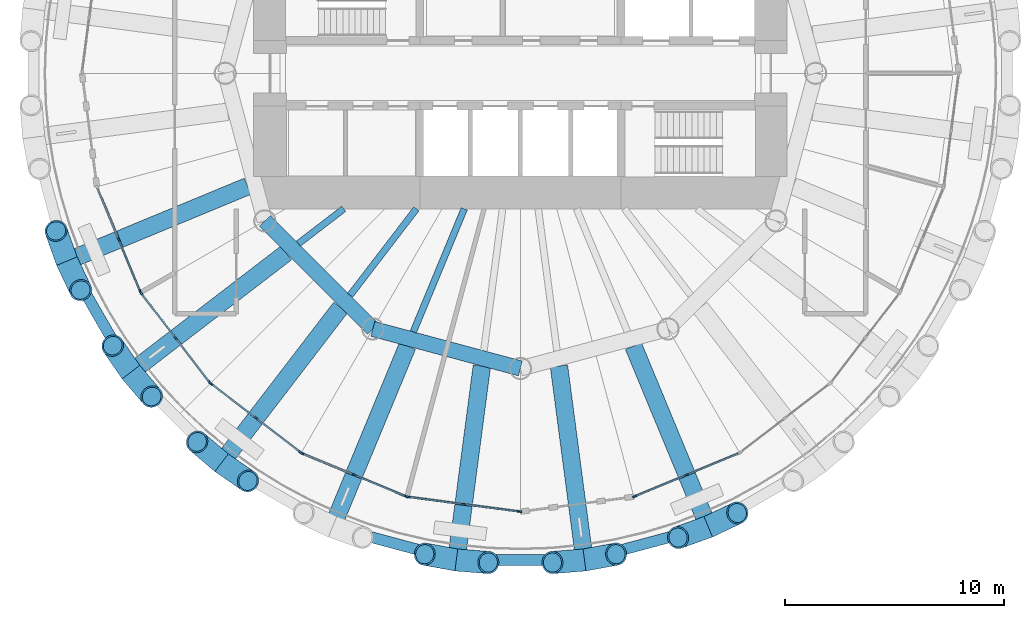
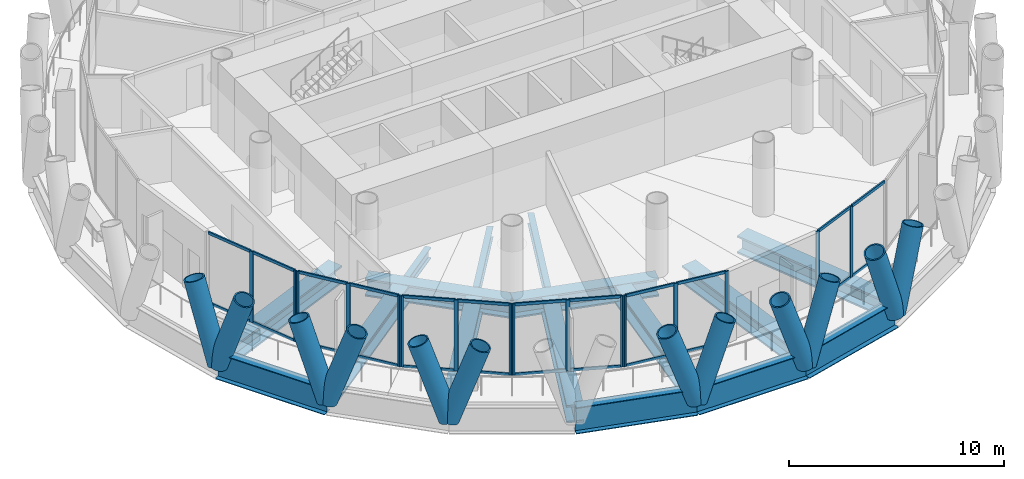
# One storey, part 2 of 14: 52 members, 16 beams, 6 elements without a shape of their own.
"""IFC4 building model written with IfcOpenShell, lengths in metres."""

from ifc_helpers import new_model, si_unit, direction, frame, origin, origin_2d, place, context, subcontext, project, spatial, rectangle, hollow_circle, i_section, extrude, material, material_profile, profile_set, type_object, element, aggregate, save


model = new_model("IFC4")

# Units and contexts
model_context = context("Model", 3, precision=1e-05, world=origin(), true_north=direction((0.0, 1.0)))
body_context = subcontext(model_context, "Body", "Model", "MODEL_VIEW")
ifc_project = project(units=[si_unit("LENGTHUNIT", "METRE"), si_unit("AREAUNIT", "SQUARE_METRE"), si_unit("VOLUMEUNIT", "CUBIC_METRE"), si_unit("PLANEANGLEUNIT", "RADIAN"), si_unit("MASSUNIT", "GRAM", prefix="KILO")], contexts=[model_context])

# Site, building, storey
site_placement = place(None, origin())
site = spatial("IfcSite", under=ifc_project, at=site_placement, CompositionType="ELEMENT")
building_placement = place(site_placement, origin())
building = spatial("IfcBuilding", under=site, at=building_placement, Name="Qaws Media Tower", CompositionType="ELEMENT")
storey_placement = place(building_placement, frame((0.0, 0.0, 236.0)))
storey = spatial("IfcBuildingStorey", under=building, at=storey_placement, Name="L54", CompositionType="ELEMENT", Elevation=236.0)

# Curtain wall, members
ifc_material_1 = material(Name="Aluminium and clear glass", Category="aluminium")
curtain_wall_type = type_object("IfcCurtainWallType", Name="Unitised curtain wall CW-C", PredefinedType="NOTDEFINED", material=ifc_material_1)
curtain_wall_1_placement = place(storey_placement, origin())
curtain_wall_1 = element("IfcCurtainWall", 1, at=curtain_wall_1_placement, inside=storey, type_object=curtain_wall_type, Name="CWC curtain wall L54-14", PredefinedType="NOTDEFINED")
ifc_material_2 = material(Name="Aluminium mullion", Category="aluminium")
ifc_material_profile_1 = material_profile(ifc_material_2, rectangle(XDim=0.080078125, YDim=0.199951171875, at=origin_2d()), Name="80x200")
ifc_profile_set_1 = profile_set([ifc_material_profile_1], Name="Aluminium mullion")
member_type_1 = type_object("IfcMemberType", Name="Curtain wall mullion 80x200", PredefinedType="MULLION", material=ifc_profile_set_1)
member_1_placement = place(storey_placement, frame((41.634765625, 42.392822265625, 0.0), z_axis=(0.0, 0.0, 1.0), x_axis=(0.923879492717, 0.382683528436, 0.0)))
member_1 = element("IfcMember", 2, at=member_1_placement, type_object=member_type_1, Name="CWC mullion 2", PredefinedType="MULLION", context=body_context, shape_type="SweptSolid", body=[
    extrude(rectangle(XDim=0.080078125, YDim=0.199951171875, at=origin_2d()), origin(), (0.0, 0.0, 1.0), 4.0400390625),
])
member_2_placement = place(storey_placement, frame((42.620849609375, 40.011962890625, 0.0), z_axis=(0.0, 0.0, 1.0), x_axis=(0.923879492717, 0.382683528436, 0.0)))
member_2 = element("IfcMember", 3, at=member_2_placement, type_object=member_type_1, Name="CWC mullion 3", PredefinedType="MULLION", context=body_context, shape_type="SweptSolid", body=[
    extrude(rectangle(XDim=0.080078125, YDim=0.199951171875, at=origin_2d()), origin(), (0.0, 0.0, 1.0), 4.0400390625),
])

curtain_wall_2_placement = place(storey_placement, origin())
curtain_wall_2 = element("IfcCurtainWall", 4, at=curtain_wall_2_placement, inside=storey, type_object=curtain_wall_type, Name="CWC curtain wall L54-15", PredefinedType="NOTDEFINED")
member_3_placement = place(storey_placement, frame((42.66064453125, 39.943359375, 0.0), z_axis=(0.0, 0.0, 1.0), x_axis=(0.793353378275, 0.608761379507, 0.0)))
member_3 = element("IfcMember", 5, at=member_3_placement, type_object=member_type_1, Name="CWC mullion 1", PredefinedType="MULLION", context=body_context, shape_type="SweptSolid", body=[
    extrude(rectangle(XDim=0.080078125, YDim=0.199951171875, at=origin_2d()), origin(), (0.0, 0.0, 1.0), 4.0400390625),
])
member_4_placement = place(storey_placement, frame((44.229248046875, 37.898681640625, 0.0), z_axis=(0.0, 0.0, 1.0), x_axis=(0.793353378275, 0.608761379507, 0.0)))
member_4 = element("IfcMember", 6, at=member_4_placement, type_object=member_type_1, Name="CWC mullion 2", PredefinedType="MULLION", context=body_context, shape_type="SweptSolid", body=[
    extrude(rectangle(XDim=0.080078125, YDim=0.199951171875, at=origin_2d()), origin(), (0.0, 0.0, 1.0), 4.0400390625),
])
member_5_placement = place(storey_placement, frame((45.798095703125, 35.854248046875, 0.0), z_axis=(0.0, 0.0, 1.0), x_axis=(0.793353378275, 0.608761379507, 0.0)))
member_5 = element("IfcMember", 7, at=member_5_placement, type_object=member_type_1, Name="CWC mullion 3", PredefinedType="MULLION", context=body_context, shape_type="SweptSolid", body=[
    extrude(rectangle(XDim=0.080078125, YDim=0.199951171875, at=origin_2d()), origin(), (0.0, 0.0, 1.0), 4.0400390625),
])

curtain_wall_3_placement = place(storey_placement, origin())
curtain_wall_3 = element("IfcCurtainWall", 8, at=curtain_wall_3_placement, inside=storey, type_object=curtain_wall_type, Name="CWC curtain wall L54-16", PredefinedType="NOTDEFINED")
member_6_placement = place(storey_placement, frame((45.854248046875, 35.798095703125, 0.0), z_axis=(0.0, 0.0, 1.0), x_axis=(0.608761379507, 0.793353378275, 0.0)))
member_6 = element("IfcMember", 9, at=member_6_placement, type_object=member_type_1, Name="CWC mullion 1", PredefinedType="MULLION", context=body_context, shape_type="SweptSolid", body=[
    extrude(rectangle(XDim=0.080078125, YDim=0.199951171875, at=origin_2d()), origin(), (0.0, 0.0, 1.0), 4.0400390625),
])
member_7_placement = place(storey_placement, frame((47.898681640625, 34.229248046875, 0.0), z_axis=(0.0, 0.0, 1.0), x_axis=(0.608761379507, 0.793353378275, 0.0)))
member_7 = element("IfcMember", 10, at=member_7_placement, type_object=member_type_1, Name="CWC mullion 2", PredefinedType="MULLION", context=body_context, shape_type="SweptSolid", body=[
    extrude(rectangle(XDim=0.080078125, YDim=0.199951171875, at=origin_2d()), origin(), (0.0, 0.0, 1.0), 4.0400390625),
])
member_8_placement = place(storey_placement, frame((49.943359375, 32.66064453125, 0.0), z_axis=(0.0, 0.0, 1.0), x_axis=(0.608761379507, 0.793353378275, 0.0)))
member_8 = element("IfcMember", 11, at=member_8_placement, type_object=member_type_1, Name="CWC mullion 3", PredefinedType="MULLION", context=body_context, shape_type="SweptSolid", body=[
    extrude(rectangle(XDim=0.080078125, YDim=0.199951171875, at=origin_2d()), origin(), (0.0, 0.0, 1.0), 4.0400390625),
])

curtain_wall_4_placement = place(storey_placement, origin())
curtain_wall_4 = element("IfcCurtainWall", 12, at=curtain_wall_4_placement, inside=storey, type_object=curtain_wall_type, Name="CWC curtain wall L54-17", PredefinedType="NOTDEFINED")
member_9_placement = place(storey_placement, frame((50.011962890625, 32.620849609375, 0.0), z_axis=(0.0, 0.0, 1.0), x_axis=(0.382683528436, 0.923879492717, 0.0)))
member_9 = element("IfcMember", 13, at=member_9_placement, type_object=member_type_1, Name="CWC mullion 1", PredefinedType="MULLION", context=body_context, shape_type="SweptSolid", body=[
    extrude(rectangle(XDim=0.080078125, YDim=0.199951171875, at=origin_2d()), origin(), (0.0, 0.0, 1.0), 4.0400390625),
])
member_10_placement = place(storey_placement, frame((52.392822265625, 31.634765625, 0.0), z_axis=(0.0, 0.0, 1.0), x_axis=(0.382683528436, 0.923879492717, 0.0)))
member_10 = element("IfcMember", 14, at=member_10_placement, type_object=member_type_1, Name="CWC mullion 2", PredefinedType="MULLION", context=body_context, shape_type="SweptSolid", body=[
    extrude(rectangle(XDim=0.080078125, YDim=0.199951171875, at=origin_2d()), origin(), (0.0, 0.0, 1.0), 4.0400390625),
])
member_11_placement = place(storey_placement, frame((54.773681640625, 30.6484375, 0.0), z_axis=(0.0, 0.0, 1.0), x_axis=(0.382683528436, 0.923879492717, 0.0)))
member_11 = element("IfcMember", 15, at=member_11_placement, type_object=member_type_1, Name="CWC mullion 3", PredefinedType="MULLION", context=body_context, shape_type="SweptSolid", body=[
    extrude(rectangle(XDim=0.080078125, YDim=0.199951171875, at=origin_2d()), origin(), (0.0, 0.0, 1.0), 4.0400390625),
])

curtain_wall_5_placement = place(storey_placement, origin())
curtain_wall_5 = element("IfcCurtainWall", 16, at=curtain_wall_5_placement, inside=storey, type_object=curtain_wall_type, Name="CWC curtain wall L54-18", PredefinedType="NOTDEFINED")
member_12_placement = place(storey_placement, frame((54.850341796875, 30.6279296875, 0.0), z_axis=(0.0, 0.0, 1.0), x_axis=(0.130526154272, 0.99144486637, 0.0)))
member_12 = element("IfcMember", 17, at=member_12_placement, type_object=member_type_1, Name="CWC mullion 1", PredefinedType="MULLION", context=body_context, shape_type="SweptSolid", body=[
    extrude(rectangle(XDim=0.080078125, YDim=0.199951171875, at=origin_2d()), origin(), (0.0, 0.0, 1.0), 4.0400390625),
])
member_13_placement = place(storey_placement, frame((57.4052734375, 30.29150390625, 0.0), z_axis=(0.0, 0.0, 1.0), x_axis=(0.130526154272, 0.99144486637, 0.0)))
member_13 = element("IfcMember", 18, at=member_13_placement, type_object=member_type_1, Name="CWC mullion 2", PredefinedType="MULLION", context=body_context, shape_type="SweptSolid", body=[
    extrude(rectangle(XDim=0.080078125, YDim=0.199951171875, at=origin_2d()), origin(), (0.0, 0.0, 1.0), 4.0400390625),
])
member_14_placement = place(storey_placement, frame((59.96044921875, 29.955322265625, 0.0), z_axis=(0.0, 0.0, 1.0), x_axis=(0.130526154272, 0.99144486637, 0.0)))
member_14 = element("IfcMember", 19, at=member_14_placement, type_object=member_type_1, Name="CWC mullion 3", PredefinedType="MULLION", context=body_context, shape_type="SweptSolid", body=[
    extrude(rectangle(XDim=0.080078125, YDim=0.199951171875, at=origin_2d()), origin(), (0.0, 0.0, 1.0), 4.0400390625),
])

curtain_wall_6_placement = place(storey_placement, origin())
curtain_wall_6 = element("IfcCurtainWall", 20, at=curtain_wall_6_placement, inside=storey, type_object=curtain_wall_type, Name="CWC curtain wall L54-20", PredefinedType="NOTDEFINED")
member_15_placement = place(storey_placement, frame((65.226318359375, 30.6484375, 0.0), z_axis=(0.0, 0.0, 1.0), x_axis=(-0.382683528436, 0.923879492717, 0.0)))
member_15 = element("IfcMember", 21, at=member_15_placement, type_object=member_type_1, Name="CWC mullion 1", PredefinedType="MULLION", context=body_context, shape_type="SweptSolid", body=[
    extrude(rectangle(XDim=0.080078125, YDim=0.199951171875, at=origin_2d()), origin(), (0.0, 0.0, 1.0), 4.0400390625),
])
member_16_placement = place(storey_placement, frame((67.607177734375, 31.634765625, 0.0), z_axis=(0.0, 0.0, 1.0), x_axis=(-0.382683528436, 0.923879492717, 0.0)))
member_16 = element("IfcMember", 22, at=member_16_placement, type_object=member_type_1, Name="CWC mullion 2", PredefinedType="MULLION", context=body_context, shape_type="SweptSolid", body=[
    extrude(rectangle(XDim=0.080078125, YDim=0.199951171875, at=origin_2d()), origin(), (0.0, 0.0, 1.0), 4.0400390625),
])

# Member
ifc_material_3 = material(Name="Aluminium transom", Category="aluminium")
ifc_material_profile_2 = material_profile(ifc_material_3, rectangle(XDim=0.080078125, YDim=0.159912109375, at=origin_2d()), Name="80x160")
ifc_profile_set_2 = profile_set([ifc_material_profile_2], Name="Aluminium transom")
member_type_2 = type_object("IfcMemberType", Name="Curtain wall transom 80x160", PredefinedType="USERDEFINED", material=ifc_profile_set_2)
member_17_placement = place(storey_placement, frame((40.663818359375, 44.73681640625, 0.0400390625), z_axis=(0.38265688181, -0.923890529664, 0.0), x_axis=(0.923890529664, 0.38265688181, 0.0)))
member_17 = element("IfcMember", 23, at=member_17_placement, type_object=member_type_2, Name="CWC transom 1.1", ObjectType="TRANSOM", PredefinedType="USERDEFINED", context=body_context, shape_type="SweptSolid", body=[
    extrude(rectangle(XDim=0.080078125, YDim=0.159912109375, at=origin_2d()), origin(), (0.0, 0.0, 1.0), 2.4970703125),
])

member_18_placement = place(storey_placement, frame((40.663818359375, 44.73681640625, 4.0), z_axis=(0.38265688181, -0.923890529664, 0.0), x_axis=(0.923890529664, 0.38265688181, 0.0)))
member_18 = element("IfcMember", 24, at=member_18_placement, type_object=member_type_2, Name="CWC transom 1.2", ObjectType="TRANSOM", PredefinedType="USERDEFINED", context=body_context, shape_type="SweptSolid", body=[
    extrude(rectangle(XDim=0.080078125, YDim=0.159912109375, at=origin_2d()), origin(), (0.0, 0.0, 1.0), 2.4970703125),
])

member_19_placement = place(storey_placement, frame((41.64990234375, 42.35595703125, 0.0400390625), z_axis=(0.38265688181, -0.923890529664, 0.0), x_axis=(0.923890529664, 0.38265688181, 0.0)))
member_19 = element("IfcMember", 25, at=member_19_placement, type_object=member_type_2, Name="CWC transom 2.1", ObjectType="TRANSOM", PredefinedType="USERDEFINED", context=body_context, shape_type="SweptSolid", body=[
    extrude(rectangle(XDim=0.080078125, YDim=0.159912109375, at=origin_2d()), origin(), (0.0, 0.0, 1.0), 2.4970703125),
])

member_20_placement = place(storey_placement, frame((41.64990234375, 42.35595703125, 4.0), z_axis=(0.38265688181, -0.923890529664, 0.0), x_axis=(0.923890529664, 0.38265688181, 0.0)))
member_20 = element("IfcMember", 26, at=member_20_placement, type_object=member_type_2, Name="CWC transom 2.2", ObjectType="TRANSOM", PredefinedType="USERDEFINED", context=body_context, shape_type="SweptSolid", body=[
    extrude(rectangle(XDim=0.080078125, YDim=0.159912109375, at=origin_2d()), origin(), (0.0, 0.0, 1.0), 2.4970703125),
])

aggregate(curtain_wall_1, [member_1, member_2, member_17, member_18, member_19, member_20])

member_21_placement = place(storey_placement, frame((42.684814453125, 39.91162109375, 0.0400390625), z_axis=(0.608770135427, -0.793346659546, 0.0), x_axis=(0.793346659546, 0.608770135427, 0.0)))
member_21 = element("IfcMember", 27, at=member_21_placement, type_object=member_type_2, Name="CWC transom 1.1", ObjectType="TRANSOM", PredefinedType="USERDEFINED", context=body_context, shape_type="SweptSolid", body=[
    extrude(rectangle(XDim=0.080078125, YDim=0.159912109375, at=origin_2d()), origin(), (0.0, 0.0, 1.0), 2.497314453125),
])

member_22_placement = place(storey_placement, frame((42.684814453125, 39.91162109375, 4.0), z_axis=(0.608770135427, -0.793346659546, 0.0), x_axis=(0.793346659546, 0.608770135427, 0.0)))
member_22 = element("IfcMember", 28, at=member_22_placement, type_object=member_type_2, Name="CWC transom 1.2", ObjectType="TRANSOM", PredefinedType="USERDEFINED", context=body_context, shape_type="SweptSolid", body=[
    extrude(rectangle(XDim=0.080078125, YDim=0.159912109375, at=origin_2d()), origin(), (0.0, 0.0, 1.0), 2.497314453125),
])

member_23_placement = place(storey_placement, frame((44.253662109375, 37.866943359375, 0.0400390625), z_axis=(0.608817354187, -0.793310424261, 0.0), x_axis=(0.793310424261, 0.608817354187, 0.0)))
member_23 = element("IfcMember", 29, at=member_23_placement, type_object=member_type_2, Name="CWC transom 2.1", ObjectType="TRANSOM", PredefinedType="USERDEFINED", context=body_context, shape_type="SweptSolid", body=[
    extrude(rectangle(XDim=0.080078125, YDim=0.159912109375, at=origin_2d()), origin(), (0.0, 0.0, 1.0), 2.4970703125),
])

member_24_placement = place(storey_placement, frame((44.253662109375, 37.866943359375, 4.0), z_axis=(0.608817354187, -0.793310424261, 0.0), x_axis=(0.793310424261, 0.608817354187, 0.0)))
member_24 = element("IfcMember", 30, at=member_24_placement, type_object=member_type_2, Name="CWC transom 2.2", ObjectType="TRANSOM", PredefinedType="USERDEFINED", context=body_context, shape_type="SweptSolid", body=[
    extrude(rectangle(XDim=0.080078125, YDim=0.159912109375, at=origin_2d()), origin(), (0.0, 0.0, 1.0), 2.4970703125),
])

aggregate(curtain_wall_2, [member_3, member_4, member_5, member_21, member_22, member_23, member_24])

member_25_placement = place(storey_placement, frame((45.885986328125, 35.77392578125, 0.0400390625), z_axis=(0.793310424261, -0.608817354187, 0.0), x_axis=(0.608817354187, 0.793310424261, 0.0)))
member_25 = element("IfcMember", 31, at=member_25_placement, type_object=member_type_2, Name="CWC transom 1.1", ObjectType="TRANSOM", PredefinedType="USERDEFINED", context=body_context, shape_type="SweptSolid", body=[
    extrude(rectangle(XDim=0.080078125, YDim=0.159912109375, at=origin_2d()), origin(), (0.0, 0.0, 1.0), 2.4970703125),
])

member_26_placement = place(storey_placement, frame((45.885986328125, 35.77392578125, 4.0), z_axis=(0.793310424261, -0.608817354187, 0.0), x_axis=(0.608817354187, 0.793310424261, 0.0)))
member_26 = element("IfcMember", 32, at=member_26_placement, type_object=member_type_2, Name="CWC transom 1.2", ObjectType="TRANSOM", PredefinedType="USERDEFINED", context=body_context, shape_type="SweptSolid", body=[
    extrude(rectangle(XDim=0.080078125, YDim=0.159912109375, at=origin_2d()), origin(), (0.0, 0.0, 1.0), 2.4970703125),
])

member_27_placement = place(storey_placement, frame((47.930419921875, 34.205078125, 0.0400390625), z_axis=(0.793346659546, -0.608770135427, 0.0), x_axis=(0.608770135427, 0.793346659546, 0.0)))
member_27 = element("IfcMember", 33, at=member_27_placement, type_object=member_type_2, Name="CWC transom 2.1", ObjectType="TRANSOM", PredefinedType="USERDEFINED", context=body_context, shape_type="SweptSolid", body=[
    extrude(rectangle(XDim=0.080078125, YDim=0.159912109375, at=origin_2d()), origin(), (0.0, 0.0, 1.0), 2.497314453125),
])

member_28_placement = place(storey_placement, frame((47.930419921875, 34.205078125, 4.0), z_axis=(0.793346659546, -0.608770135427, 0.0), x_axis=(0.608770135427, 0.793346659546, 0.0)))
member_28 = element("IfcMember", 34, at=member_28_placement, type_object=member_type_2, Name="CWC transom 2.2", ObjectType="TRANSOM", PredefinedType="USERDEFINED", context=body_context, shape_type="SweptSolid", body=[
    extrude(rectangle(XDim=0.080078125, YDim=0.159912109375, at=origin_2d()), origin(), (0.0, 0.0, 1.0), 2.497314453125),
])

aggregate(curtain_wall_3, [member_6, member_7, member_8, member_25, member_26, member_27, member_28])

member_29_placement = place(storey_placement, frame((50.048828125, 32.60546875, 0.0400390625), z_axis=(0.923890529664, -0.38265688181, 0.0), x_axis=(0.38265688181, 0.923890529664, 0.0)))
member_29 = element("IfcMember", 35, at=member_29_placement, type_object=member_type_2, Name="CWC transom 1.1", ObjectType="TRANSOM", PredefinedType="USERDEFINED", context=body_context, shape_type="SweptSolid", body=[
    extrude(rectangle(XDim=0.080078125, YDim=0.159912109375, at=origin_2d()), origin(), (0.0, 0.0, 1.0), 2.4970703125),
])

member_30_placement = place(storey_placement, frame((50.048828125, 32.60546875, 4.0), z_axis=(0.923890529664, -0.38265688181, 0.0), x_axis=(0.38265688181, 0.923890529664, 0.0)))
member_30 = element("IfcMember", 36, at=member_30_placement, type_object=member_type_2, Name="CWC transom 1.2", ObjectType="TRANSOM", PredefinedType="USERDEFINED", context=body_context, shape_type="SweptSolid", body=[
    extrude(rectangle(XDim=0.080078125, YDim=0.159912109375, at=origin_2d()), origin(), (0.0, 0.0, 1.0), 2.4970703125),
])

member_31_placement = place(storey_placement, frame((52.4296875, 31.619384765625, 0.0400390625), z_axis=(0.923890529664, -0.38265688181, 0.0), x_axis=(0.38265688181, 0.923890529664, 0.0)))
member_31 = element("IfcMember", 37, at=member_31_placement, type_object=member_type_2, Name="CWC transom 2.1", ObjectType="TRANSOM", PredefinedType="USERDEFINED", context=body_context, shape_type="SweptSolid", body=[
    extrude(rectangle(XDim=0.080078125, YDim=0.159912109375, at=origin_2d()), origin(), (0.0, 0.0, 1.0), 2.4970703125),
])

member_32_placement = place(storey_placement, frame((52.4296875, 31.619384765625, 4.0), z_axis=(0.923890529664, -0.38265688181, 0.0), x_axis=(0.38265688181, 0.923890529664, 0.0)))
member_32 = element("IfcMember", 38, at=member_32_placement, type_object=member_type_2, Name="CWC transom 2.2", ObjectType="TRANSOM", PredefinedType="USERDEFINED", context=body_context, shape_type="SweptSolid", body=[
    extrude(rectangle(XDim=0.080078125, YDim=0.159912109375, at=origin_2d()), origin(), (0.0, 0.0, 1.0), 2.4970703125),
])

aggregate(curtain_wall_4, [member_9, member_10, member_11, member_29, member_30, member_31, member_32])

member_33_placement = place(storey_placement, frame((54.889892578125, 30.622802734375, 0.0400390625), z_axis=(0.991445974424, -0.130517737487, 0.0), x_axis=(0.130517737487, 0.991445974424, 0.0)))
member_33 = element("IfcMember", 39, at=member_33_placement, type_object=member_type_2, Name="CWC transom 1.1", ObjectType="TRANSOM", PredefinedType="USERDEFINED", context=body_context, shape_type="SweptSolid", body=[
    extrude(rectangle(XDim=0.080078125, YDim=0.159912109375, at=origin_2d()), origin(), (0.0, 0.0, 1.0), 2.4970703125),
])

member_34_placement = place(storey_placement, frame((54.889892578125, 30.622802734375, 4.0), z_axis=(0.991445974424, -0.130517737487, 0.0), x_axis=(0.130517737487, 0.991445974424, 0.0)))
member_34 = element("IfcMember", 40, at=member_34_placement, type_object=member_type_2, Name="CWC transom 1.2", ObjectType="TRANSOM", PredefinedType="USERDEFINED", context=body_context, shape_type="SweptSolid", body=[
    extrude(rectangle(XDim=0.080078125, YDim=0.159912109375, at=origin_2d()), origin(), (0.0, 0.0, 1.0), 2.4970703125),
])

member_35_placement = place(storey_placement, frame((57.445068359375, 30.286376953125, 0.0400390625), z_axis=(0.991444308748, -0.130530389761, 0.0), x_axis=(0.130530389761, 0.991444308748, 0.0)))
member_35 = element("IfcMember", 41, at=member_35_placement, type_object=member_type_2, Name="CWC transom 2.1", ObjectType="TRANSOM", PredefinedType="USERDEFINED", context=body_context, shape_type="SweptSolid", body=[
    extrude(rectangle(XDim=0.080078125, YDim=0.159912109375, at=origin_2d()), origin(), (0.0, 0.0, 1.0), 2.4970703125),
])

member_36_placement = place(storey_placement, frame((57.445068359375, 30.286376953125, 4.0), z_axis=(0.991444308748, -0.130530389761, 0.0), x_axis=(0.130530389761, 0.991444308748, 0.0)))
member_36 = element("IfcMember", 42, at=member_36_placement, type_object=member_type_2, Name="CWC transom 2.2", ObjectType="TRANSOM", PredefinedType="USERDEFINED", context=body_context, shape_type="SweptSolid", body=[
    extrude(rectangle(XDim=0.080078125, YDim=0.159912109375, at=origin_2d()), origin(), (0.0, 0.0, 1.0), 2.4970703125),
])

aggregate(curtain_wall_5, [member_12, member_13, member_14, member_33, member_34, member_35, member_36])

member_37_placement = place(storey_placement, frame((65.26318359375, 30.663818359375, 0.0400390625), z_axis=(0.923890529664, 0.38265688181, 0.0), x_axis=(-0.38265688181, 0.923890529664, 0.0)))
member_37 = element("IfcMember", 43, at=member_37_placement, type_object=member_type_2, Name="CWC transom 1.1", ObjectType="TRANSOM", PredefinedType="USERDEFINED", context=body_context, shape_type="SweptSolid", body=[
    extrude(rectangle(XDim=0.080078125, YDim=0.159912109375, at=origin_2d()), origin(), (0.0, 0.0, 1.0), 2.4970703125),
])

member_38_placement = place(storey_placement, frame((65.26318359375, 30.663818359375, 4.0), z_axis=(0.923890529664, 0.38265688181, 0.0), x_axis=(-0.38265688181, 0.923890529664, 0.0)))
member_38 = element("IfcMember", 44, at=member_38_placement, type_object=member_type_2, Name="CWC transom 1.2", ObjectType="TRANSOM", PredefinedType="USERDEFINED", context=body_context, shape_type="SweptSolid", body=[
    extrude(rectangle(XDim=0.080078125, YDim=0.159912109375, at=origin_2d()), origin(), (0.0, 0.0, 1.0), 2.4970703125),
])

member_39_placement = place(storey_placement, frame((67.64404296875, 31.64990234375, 0.0400390625), z_axis=(0.923890529664, 0.38265688181, 0.0), x_axis=(-0.38265688181, 0.923890529664, 0.0)))
member_39 = element("IfcMember", 45, at=member_39_placement, type_object=member_type_2, Name="CWC transom 2.1", ObjectType="TRANSOM", PredefinedType="USERDEFINED", context=body_context, shape_type="SweptSolid", body=[
    extrude(rectangle(XDim=0.080078125, YDim=0.159912109375, at=origin_2d()), origin(), (0.0, 0.0, 1.0), 2.4970703125),
])

member_40_placement = place(storey_placement, frame((67.64404296875, 31.64990234375, 4.0), z_axis=(0.923890529664, 0.38265688181, 0.0), x_axis=(-0.38265688181, 0.923890529664, 0.0)))
member_40 = element("IfcMember", 46, at=member_40_placement, type_object=member_type_2, Name="CWC transom 2.2", ObjectType="TRANSOM", PredefinedType="USERDEFINED", context=body_context, shape_type="SweptSolid", body=[
    extrude(rectangle(XDim=0.080078125, YDim=0.159912109375, at=origin_2d()), origin(), (0.0, 0.0, 1.0), 2.4970703125),
])

aggregate(curtain_wall_6, [member_15, member_16, member_37, member_38, member_39, member_40])

# Members
ifc_material_4 = material(Name="Steel S460", Category="steel")
ifc_material_profile_3 = material_profile(ifc_material_4, hollow_circle(Radius=0.508056640625, WallThickness=0.070068359375, at=origin_2d()), Name="CHS 1016x70")
ifc_profile_set_3 = profile_set([ifc_material_profile_3], Name="Steel S460")
member_type_3 = type_object("IfcMemberType", Name="Diagrid member CHS 1016x70", PredefinedType="USERDEFINED", material=ifc_profile_set_3)
for number, where, z_axis, x_axis, name in (
    (47, (39.2587890625, 41.40869140625, -0.909912109375), (0.14135120476, -0.298231287993, 0.943969245142), (0.903639637176, 0.428293598043, 0.0), "DG3 diagrid L54 A14"),
    (48, (39.2587890625, 41.40869140625, -0.909912109375), (-0.110950962725, 0.310849260058, 0.943961133412), (-0.941805836856, -0.336157352537, 0.0), "DG3 diagrid L54 B14"),
    (49, (42.189208984375, 36.333251953125, -0.909912109375), (0.213672562713, -0.251534418971, 0.943967410463), (0.762136188527, 0.647416736065, 0.0), "DG3 diagrid L54 A15"),
    (50, (42.189208984375, 36.333251953125, -0.909912109375), (-0.187662319179, 0.271506770556, 0.943963414282), (-0.822622885394, -0.568587362176, 0.0), "DG3 diagrid L54 B15"),
    (51, (46.333251953125, 32.189208984375, -0.909912109375), (0.271506770556, -0.187662319179, 0.943963414282), (0.568587362176, 0.822622885394, 0.0), "DG3 diagrid L54 A16"),
    (52, (46.333251953125, 32.189208984375, -0.909912109375), (-0.251534418971, 0.213672562713, 0.943967410463), (-0.647416736065, -0.762136188527, 0.0), "DG3 diagrid L54 B16"),
    (53, (57.069580078125, 27.741943359375, -0.909912109375), (0.329007657627, -0.026722269724, 0.943949088417), (0.080954232526, 0.996717819765, 0.0), "DG3 diagrid L54 A18"),
    (54, (57.069580078125, 27.741943359375, -0.909912109375), (-0.324677591868, 0.05931662613, 0.943962922579), (-0.179719298086, -0.983717934113, 0.0), "DG3 diagrid L54 B18"),
    (55, (62.930419921875, 27.741943359375, -0.909912109375), (0.324677591868, 0.05931662613, 0.943962922579), (-0.179719298086, 0.983717934113, 0.0), "DG3 diagrid L54 A19"),
    (56, (62.930419921875, 27.741943359375, -0.909912109375), (-0.329007657627, -0.026722269724, 0.943949088417), (0.080954232526, -0.996717819765, 0.0), "DG3 diagrid L54 B19"),
    (57, (68.59130859375, 29.2587890625, -0.909912109375), (0.298231287993, 0.14135120476, 0.943969245142), (-0.428293598043, 0.903639637176, 0.0), "DG3 diagrid L54 A20"),
    (58, (68.59130859375, 29.2587890625, -0.909912109375), (-0.310849260058, -0.110950962725, 0.943961133412), (0.336157352537, -0.941805836856, 0.0), "DG3 diagrid L54 B20"),
):
    element("IfcMember", number, at=place(storey_placement, frame(where, z_axis=z_axis, x_axis=x_axis)), inside=storey, type_object=member_type_3, Name=name, ObjectType="DIAGRID", PredefinedType="USERDEFINED", context=body_context, shape_type="SweptSolid", body=[
        extrude(hollow_circle(Radius=0.508056640625, WallThickness=0.070068359375, at=origin_2d()), origin(), (0.0, 0.0, 1.0), 4.44921875),
    ])

# Beams
ifc_material_5 = material(Name="Steel S460", Category="steel")
ifc_material_profile_4 = material_profile(ifc_material_5, i_section(OverallWidth=0.5, OverallDepth=1.5, WebThickness=0.02001953125, FlangeThickness=0.0400390625, at=origin_2d()), Name="PG 1500x500")
ifc_profile_set_4 = profile_set([ifc_material_profile_4], Name="Steel S460")
beam_type_1 = type_object("IfcBeamType", Name="Edge ring beam PG 1500x500", PredefinedType="BEAM", material=ifc_profile_set_4)
for number, where, z_axis, x_axis, name in (
    (59, (39.2587890625, 41.40869140625, -0.909912109375), (0.5000145359, -0.866017011316, 0.0), (0.866017011316, 0.5000145359, 0.0), "RB4 edge ring beam L54-14"),
    (60, (51.40869140625, 29.2587890625, -0.909912109375), (0.965925179804, -0.258821457805, 0.0), (0.258821457805, 0.965925179804, 0.0), "RB4 edge ring beam L54-17"),
):
    element("IfcBeam", number, at=place(storey_placement, frame(where, z_axis=z_axis, x_axis=x_axis)), inside=storey, type_object=beam_type_1, Name=name, PredefinedType="BEAM", context=body_context, shape_type="SweptSolid", body=[
        extrude(i_section(OverallWidth=0.5, OverallDepth=1.5, WebThickness=0.02001953125, FlangeThickness=0.0400390625, at=origin_2d()), origin(), (0.0, 0.0, 1.0), 5.860595703125),
    ])
beam_1_placement = place(storey_placement, frame((57.069580078125, 27.741943359375, -0.909912109375), z_axis=(1.0, 0.0, 0.0), x_axis=(0.0, 1.0, 0.0)))
element("IfcBeam", 61, at=beam_1_placement, inside=storey, type_object=beam_type_1, Name="RB4 edge ring beam L54-18", PredefinedType="BEAM", context=body_context, shape_type="SweptSolid", body=[
    extrude(i_section(OverallWidth=0.5, OverallDepth=1.5, WebThickness=0.02001953125, FlangeThickness=0.0400390625, at=origin_2d()), origin(), (0.0, 0.0, 1.0), 5.86083984375),
])
beam_2_placement = place(storey_placement, frame((62.930419921875, 27.741943359375, -0.909912109375), z_axis=(0.965925179804, 0.258821457805, 0.0), x_axis=(-0.258821457805, 0.965925179804, 0.0)))
element("IfcBeam", 62, at=beam_2_placement, inside=storey, type_object=beam_type_1, Name="RB4 edge ring beam L54-19", PredefinedType="BEAM", context=body_context, shape_type="SweptSolid", body=[
    extrude(i_section(OverallWidth=0.5, OverallDepth=1.5, WebThickness=0.02001953125, FlangeThickness=0.0400390625, at=origin_2d()), origin(), (0.0, 0.0, 1.0), 5.860595703125),
])
ifc_material_6 = material(Name="Steel S460", Category="steel")
ifc_material_profile_5 = material_profile(ifc_material_6, i_section(OverallWidth=0.699951171875, OverallDepth=1.0, WebThickness=0.034912109375, FlangeThickness=0.090087890625, at=origin_2d()), Name="PG 1000x700")
ifc_profile_set_5 = profile_set([ifc_material_profile_5], Name="Steel S460")
beam_type_2 = type_object("IfcBeamType", Name="Inner ring girder PG 1000x700", PredefinedType="BEAM", material=ifc_profile_set_5)
beam_3_placement = place(storey_placement, frame((48.30859375, 43.25, -0.659912109375), z_axis=(0.707106781187, -0.707106781187, 0.0), x_axis=(0.707106781187, 0.707106781187, 0.0)))
element("IfcBeam", 63, at=beam_3_placement, inside=storey, type_object=beam_type_2, Name="B3 inner ring beam L54 I08-I09", PredefinedType="BEAM", context=body_context, shape_type="SweptSolid", body=[
    extrude(i_section(OverallWidth=0.699951171875, OverallDepth=1.0, WebThickness=0.034912109375, FlangeThickness=0.090087890625, at=origin_2d()), origin(), (0.0, 0.0, 1.0), 6.98828125),
])
beam_4_placement = place(storey_placement, frame((53.25, 38.30859375, -0.659912109375), z_axis=(0.965928090778, -0.258810593767, 0.0), x_axis=(0.258810593767, 0.965928090778, 0.0)))
element("IfcBeam", 64, at=beam_4_placement, inside=storey, type_object=beam_type_2, Name="B3 inner ring beam L54 I09-I10", PredefinedType="BEAM", context=body_context, shape_type="SweptSolid", body=[
    extrude(i_section(OverallWidth=0.699951171875, OverallDepth=1.0, WebThickness=0.034912109375, FlangeThickness=0.090087890625, at=origin_2d()), origin(), (0.0, 0.0, 1.0), 6.988037109375),
])
ifc_material_7 = material(Name="Steel S355", Category="steel")
ifc_material_profile_6 = material_profile(ifc_material_7, i_section(OverallWidth=0.304931640625, OverallDepth=0.6201171875, WebThickness=0.02099609375, FlangeThickness=0.0400390625, FilletRadius=0.027099609375, at=origin_2d()), Name="HE 600 M")
ifc_profile_set_6 = profile_set([ifc_material_profile_6], Name="Steel S355")
beam_type_3 = type_object("IfcBeamType", Name="Radial beam HE 600 M, core side", PredefinedType="BEAM", material=ifc_profile_set_6)
beam_5_placement = place(storey_placement, frame((51.919921875, 43.800048828125, -0.469970703125), z_axis=(-0.793352321936, -0.608762756152, 0.0), x_axis=(0.608762756152, -0.793352321936, 0.0)))
element("IfcBeam", 65, at=beam_5_placement, inside=storey, type_object=beam_type_3, Name="B2 radial beam L54 15", PredefinedType="BEAM", context=body_context, shape_type="SweptSolid", body=[
    extrude(i_section(OverallWidth=0.304931640625, OverallDepth=0.6201171875, WebThickness=0.02099609375, FlangeThickness=0.0400390625, FilletRadius=0.027099609375, at=origin_2d()), origin(), (0.0, 0.0, 1.0), 2.61474609375),
])
beam_6_placement = place(storey_placement, frame((55.24267578125, 43.800048828125, -0.469970703125), z_axis=(-0.60875641792, -0.79335718541, 0.0), x_axis=(0.79335718541, -0.60875641792, 0.0)))
element("IfcBeam", 66, at=beam_6_placement, inside=storey, type_object=beam_type_3, Name="B2 radial beam L54 16", PredefinedType="BEAM", context=body_context, shape_type="SweptSolid", body=[
    extrude(i_section(OverallWidth=0.304931640625, OverallDepth=0.6201171875, WebThickness=0.02099609375, FlangeThickness=0.0400390625, FilletRadius=0.027099609375, at=origin_2d()), origin(), (0.0, 0.0, 1.0), 4.984619140625),
])
beam_7_placement = place(storey_placement, frame((57.431884765625, 43.800048828125, -0.469970703125), z_axis=(-0.38268703658, -0.923878039588, 0.0), x_axis=(0.923878039588, -0.38268703658, 0.0)))
element("IfcBeam", 67, at=beam_7_placement, inside=storey, type_object=beam_type_3, Name="B2 radial beam L54 17", PredefinedType="BEAM", context=body_context, shape_type="SweptSolid", body=[
    extrude(i_section(OverallWidth=0.304931640625, OverallDepth=0.6201171875, WebThickness=0.02099609375, FlangeThickness=0.0400390625, FilletRadius=0.027099609375, at=origin_2d()), origin(), (0.0, 0.0, 1.0), 6.088623046875),
])
ifc_material_8 = material(Name="Steel S460", Category="steel")
ifc_material_profile_7 = material_profile(ifc_material_8, i_section(OverallWidth=0.800048828125, OverallDepth=1.0, WebThickness=0.0400390625, FlangeThickness=0.10009765625, at=origin_2d()), Name="PG 1000x800")
ifc_profile_set_7 = profile_set([ifc_material_profile_7], Name="Steel S460")
beam_type_4 = type_object("IfcBeamType", Name="Radial girder PG 1000x800", PredefinedType="BEAM", material=ifc_profile_set_7)
for number, where, z_axis, x_axis, name in (
    (68, (47.5224609375, 44.83154296875, -0.659912109375), (-0.923882433922, -0.382676427665, 0.0), (0.382676427665, -0.923882433922, 0.0), "B1 radial beam L54 14"),
    (69, (49.285400390625, 41.7783203125, -0.659912109375), (-0.793355004343, -0.608759260368, 0.0), (0.608759260368, -0.793355004343, 0.0), "B1 radial beam L54 15"),
    (70, (51.7783203125, 39.285400390625, -0.659912109375), (-0.608759260368, -0.793355004343, 0.0), (0.793355004343, -0.608759260368, 0.0), "B1 radial beam L54 16"),
    (71, (54.83154296875, 37.5224609375, -0.659912109375), (-0.382676427665, -0.923882433922, 0.0), (0.923882433922, -0.382676427665, 0.0), "B1 radial beam L54 17"),
    (72, (58.237060546875, 36.610107421875, -0.659912109375), (-0.130522293296, -0.991445374669, 0.0), (0.991445374669, -0.130522293296, 0.0), "B1 radial beam L54 18"),
    (73, (61.762939453125, 36.610107421875, -0.659912109375), (0.130522293296, -0.991445374669, 0.0), (0.991445374669, 0.130522293296, 0.0), "B1 radial beam L54 19"),
    (74, (65.16845703125, 37.5224609375, -0.659912109375), (0.382676427665, -0.923882433922, 0.0), (0.923882433922, 0.382676427665, 0.0), "B1 radial beam L54 20"),
):
    element("IfcBeam", number, at=place(storey_placement, frame(where, z_axis=z_axis, x_axis=x_axis)), inside=storey, type_object=beam_type_4, Name=name, PredefinedType="BEAM", context=body_context, shape_type="SweptSolid", body=[
        extrude(i_section(OverallWidth=0.800048828125, OverallDepth=1.0, WebThickness=0.0400390625, FlangeThickness=0.10009765625, at=origin_2d()), origin(), (0.0, 0.0, 1.0), 8.944580078125),
    ])

save(model, "model.ifc")
